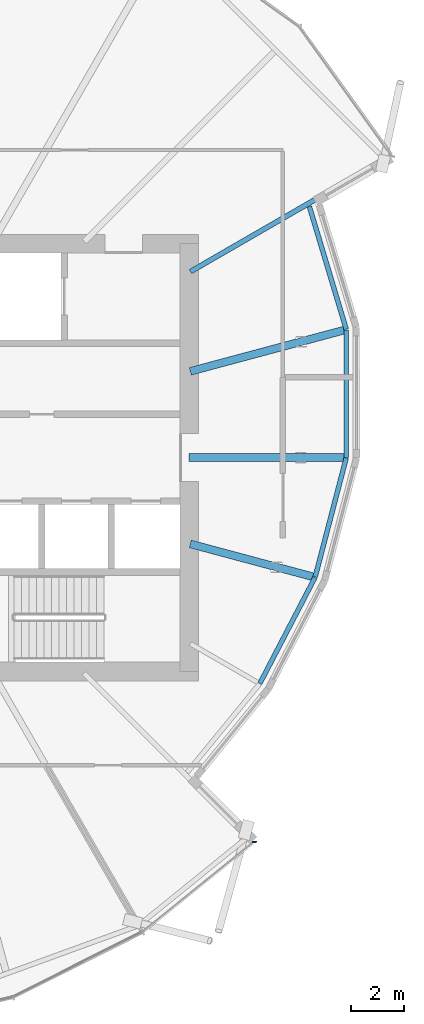
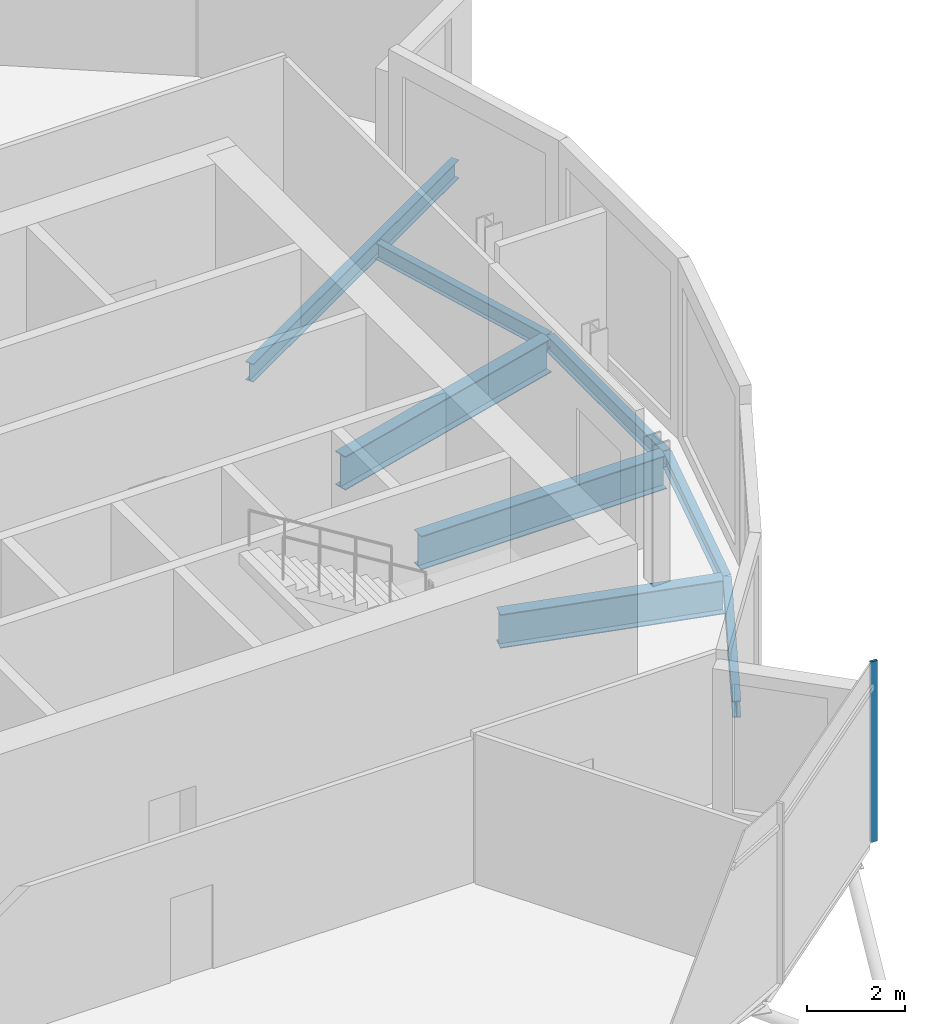
# One storey, part 14 of 36: 8 beams, 1 member, 1 element without a shape of its own.
"""IFC4 building model written with IfcOpenShell, lengths in metres."""

from ifc_helpers import new_model, si_unit, direction, frame, origin, origin_2d, place, context, subcontext, project, spatial, rectangle, i_section, extrude, material, material_profile, profile_set, type_object, element, aggregate, save


model = new_model("IFC4")

# Units and contexts
model_context = context("Model", 3, precision=1e-05, world=origin(), true_north=direction((0.0, 1.0)))
body_context = subcontext(model_context, "Body", "Model", "MODEL_VIEW")
ifc_project = project(units=[si_unit("LENGTHUNIT", "METRE"), si_unit("AREAUNIT", "SQUARE_METRE"), si_unit("VOLUMEUNIT", "CUBIC_METRE"), si_unit("PLANEANGLEUNIT", "RADIAN"), si_unit("MASSUNIT", "GRAM", prefix="KILO")], contexts=[model_context])

# Site, building, storey
site_placement = place(None, origin())
site = spatial("IfcSite", under=ifc_project, at=site_placement, CompositionType="ELEMENT")
building_placement = place(site_placement, origin())
building = spatial("IfcBuilding", under=site, at=building_placement, Name="Rimbun Link Towers", CompositionType="ELEMENT")
storey_placement = place(building_placement, frame((0.0, 0.0, 154.39990234375)))
storey = spatial("IfcBuildingStorey", under=building, at=storey_placement, Name="L37", CompositionType="ELEMENT", Elevation=154.39990234375)

# Curtain wall, member
ifc_material_1 = material(Name="Aluminium 6063-T6 and low-iron glass", Category="aluminium")
curtain_wall_type = type_object("IfcCurtainWallType", Name="CW5 full height lobby wall", PredefinedType="NOTDEFINED", material=ifc_material_1)
curtain_wall_placement = place(storey_placement, origin())
curtain_wall = element("IfcCurtainWall", 1, at=curtain_wall_placement, inside=storey, type_object=curtain_wall_type, Name="CW5 L37 T2", PredefinedType="NOTDEFINED")
ifc_material_2 = material(Name="Aluminium 6063-T6", Category="aluminium")
ifc_material_profile_1 = material_profile(ifc_material_2, rectangle(XDim=0.14990234375, YDim=0.06005859375, at=origin_2d()), Name="MULLION 60X150")
ifc_profile_set_1 = profile_set([ifc_material_profile_1], Name="Aluminium 6063-T6")
member_type = type_object("IfcMemberType", Name="CW5 mullion 60X150", PredefinedType="MULLION", material=ifc_profile_set_1)
member_placement = place(storey_placement, frame((46.190185546875, -14.369140625, 0.0), z_axis=(0.0, 0.0, 1.0), x_axis=(0.998624088058, -0.052439782127, 0.0)))
member = element("IfcMember", 2, at=member_placement, type_object=member_type, Name="CW5 mullion", PredefinedType="MULLION", context=body_context, shape_type="SweptSolid", body=[
    extrude(rectangle(XDim=0.14990234375, YDim=0.06005859375, at=origin_2d()), origin(), (0.0, 0.0, 1.0), 4.5),
])
aggregate(curtain_wall, [member])

# Beams
ifc_material_3 = material(Name="Steel S355J2", Category="steel")
ifc_material_profile_2 = material_profile(ifc_material_3, i_section(OverallWidth=0.177978515625, OverallDepth=0.406494140625, WebThickness=0.0078125, FlangeThickness=0.0126953125, at=origin_2d()), Name="UB 406x178x60")
ifc_profile_set_2 = profile_set([ifc_material_profile_2], Name="Steel S355J2")
beam_type_1 = type_object("IfcBeamType", Name="UB 406x178x60", PredefinedType="BEAM", material=ifc_profile_set_2)
beam_1_placement = place(storey_placement, frame((46.39208984375, -8.44189453125, -0.383056640625), z_axis=(0.461630243497, 0.887072442526, 0.0), x_axis=(-0.887072442526, 0.461630243497, 0.0)))
element("IfcBeam", 3, at=beam_1_placement, inside=storey, type_object=beam_type_1, Name="Edge beam T2 L37 19 recess", PredefinedType="BEAM", context=body_context, shape_type="SweptSolid", body=[
    extrude(i_section(OverallWidth=0.177978515625, OverallDepth=0.406494140625, WebThickness=0.0078125, FlangeThickness=0.0126953125, at=origin_2d()), origin(), (0.0, 0.0, 1.0), 4.45947265625),
])
beam_2_placement = place(storey_placement, frame((48.45849609375, -4.465576171875, -0.383056640625), z_axis=(0.252333363174, 0.96764036389, 0.0), x_axis=(-0.96764036389, 0.252333363174, 0.0)))
element("IfcBeam", 4, at=beam_2_placement, inside=storey, type_object=beam_type_1, Name="Edge beam T2 L37 20 recess", PredefinedType="BEAM", context=body_context, shape_type="SweptSolid", body=[
    extrude(i_section(OverallWidth=0.177978515625, OverallDepth=0.406494140625, WebThickness=0.0078125, FlangeThickness=0.0126953125, at=origin_2d()), origin(), (0.0, 0.0, 1.0), 4.6025390625),
])
beam_3_placement = place(storey_placement, frame((49.622802734375, 0.012451171875, -0.383056640625), z_axis=(0.000153783062, 0.999999988175, 0.0), x_axis=(-0.999999988175, 0.000153783062, 0.0)))
element("IfcBeam", 5, at=beam_3_placement, inside=storey, type_object=beam_type_1, Name="Edge beam T2 L37 21 recess", PredefinedType="BEAM", context=body_context, shape_type="SweptSolid", body=[
    extrude(i_section(OverallWidth=0.177978515625, OverallDepth=0.406494140625, WebThickness=0.0078125, FlangeThickness=0.0126953125, at=origin_2d()), origin(), (0.0, 0.0, 1.0), 4.7626953125),
])
beam_4_placement = place(storey_placement, frame((49.619384765625, 4.802734375, -0.383056640625), z_axis=(-0.287413384328, 0.957806633152, 0.0), x_axis=(-0.957806633152, -0.287413384328, 0.0)))
element("IfcBeam", 6, at=beam_4_placement, inside=storey, type_object=beam_type_1, Name="Edge beam T2 L37 22 recess", PredefinedType="BEAM", context=body_context, shape_type="SweptSolid", body=[
    extrude(i_section(OverallWidth=0.177978515625, OverallDepth=0.406494140625, WebThickness=0.0078125, FlangeThickness=0.0126953125, at=origin_2d()), origin(), (0.0, 0.0, 1.0), 4.787353515625),
])
ifc_material_4 = material(Name="Steel S355J2", Category="steel")
ifc_material_profile_3 = material_profile(ifc_material_4, i_section(OverallWidth=0.18994140625, OverallDepth=0.453369140625, WebThickness=0.008544921875, FlangeThickness=0.0126953125, at=origin_2d()), Name="UB 457x191x67")
ifc_profile_set_3 = profile_set([ifc_material_profile_3], Name="Steel S355J2")
beam_type_2 = type_object("IfcBeamType", Name="UB 457x191x67", PredefinedType="BEAM", material=ifc_profile_set_3)
beam_5_placement = place(storey_placement, frame((43.79833984375, 6.9560546875, -0.406494140625), z_axis=(0.866020419704, 0.500008632582, 0.0), x_axis=(-0.500008632582, 0.866020419704, 0.0)))
element("IfcBeam", 7, at=beam_5_placement, inside=storey, type_object=beam_type_2, Name="Radial beam T2 L37 23", PredefinedType="BEAM", context=body_context, shape_type="SweptSolid", body=[
    extrude(i_section(OverallWidth=0.18994140625, OverallDepth=0.453369140625, WebThickness=0.008544921875, FlangeThickness=0.0126953125, at=origin_2d()), origin(), (0.0, 0.0, 1.0), 8.393798828125),
])
ifc_material_5 = material(Name="Steel S355J2", Category="steel")
ifc_material_profile_4 = material_profile(ifc_material_5, i_section(OverallWidth=0.29248046875, OverallDepth=0.8408203125, WebThickness=0.0126953125, FlangeThickness=0.021728515625, at=origin_2d()), Name="UB 838x292x194")
ifc_profile_set_4 = profile_set([ifc_material_profile_4], Name="Steel S355J2")
beam_type_3 = type_object("IfcBeamType", Name="UB 838x292x194", PredefinedType="BEAM", material=ifc_profile_set_4)
beam_6_placement = place(storey_placement, frame((43.788818359375, -3.225830078125, -0.600341796875), z_axis=(0.965928284471, -0.258809870868, 0.0), x_axis=(0.258809870868, 0.965928284471, 0.0)))
element("IfcBeam", 8, at=beam_6_placement, inside=storey, type_object=beam_type_3, Name="Radial beam T2 L37 20", PredefinedType="BEAM", context=body_context, shape_type="SweptSolid", body=[
    extrude(i_section(OverallWidth=0.29248046875, OverallDepth=0.8408203125, WebThickness=0.0126953125, FlangeThickness=0.021728515625, at=origin_2d()), origin(), (0.0, 0.0, 1.0), 4.7412109375),
])
beam_7_placement = place(storey_placement, frame((43.7509765625, 0.0, -0.600341796875), z_axis=(1.0, 0.0, 0.0), x_axis=(0.0, 1.0, 0.0)))
element("IfcBeam", 9, at=beam_7_placement, inside=storey, type_object=beam_type_3, Name="Radial beam T2 L37 21", PredefinedType="BEAM", context=body_context, shape_type="SweptSolid", body=[
    extrude(i_section(OverallWidth=0.29248046875, OverallDepth=0.8408203125, WebThickness=0.0126953125, FlangeThickness=0.021728515625, at=origin_2d()), origin(), (0.0, 0.0, 1.0), 5.78125),
])
beam_8_placement = place(storey_placement, frame((43.788818359375, 3.225830078125, -0.600341796875), z_axis=(0.96592369199, 0.258827010283, 0.0), x_axis=(-0.258827010283, 0.96592369199, 0.0)))
element("IfcBeam", 10, at=beam_8_placement, inside=storey, type_object=beam_type_3, Name="Radial beam T2 L37 22", PredefinedType="BEAM", context=body_context, shape_type="SweptSolid", body=[
    extrude(i_section(OverallWidth=0.29248046875, OverallDepth=0.8408203125, WebThickness=0.0126953125, FlangeThickness=0.021728515625, at=origin_2d()), origin(), (0.0, 0.0, 1.0), 5.949951171875),
])

save(model, "model.ifc")
